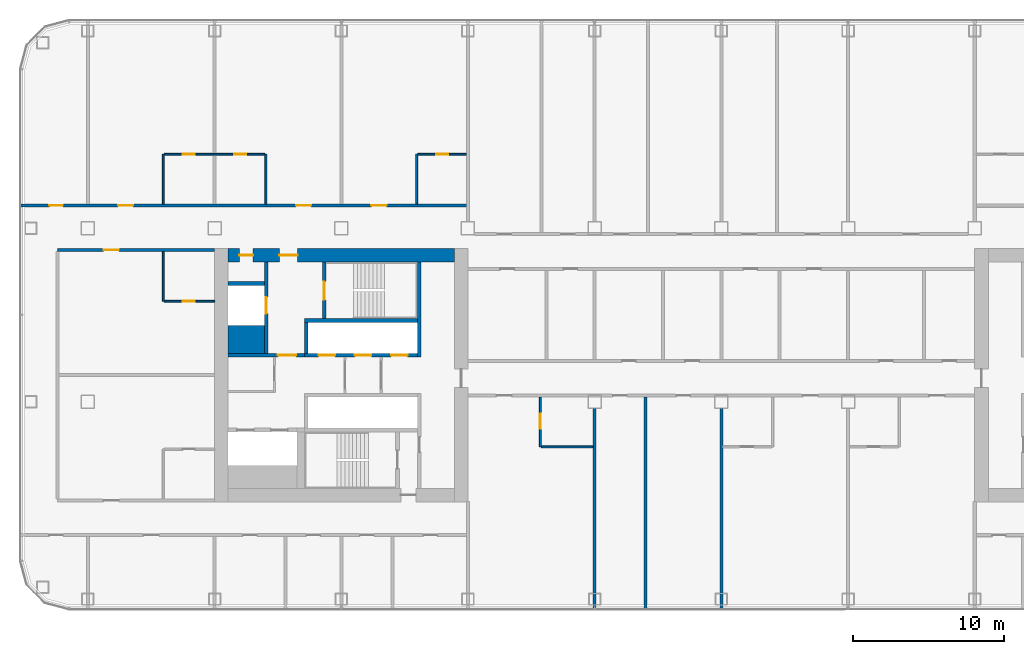
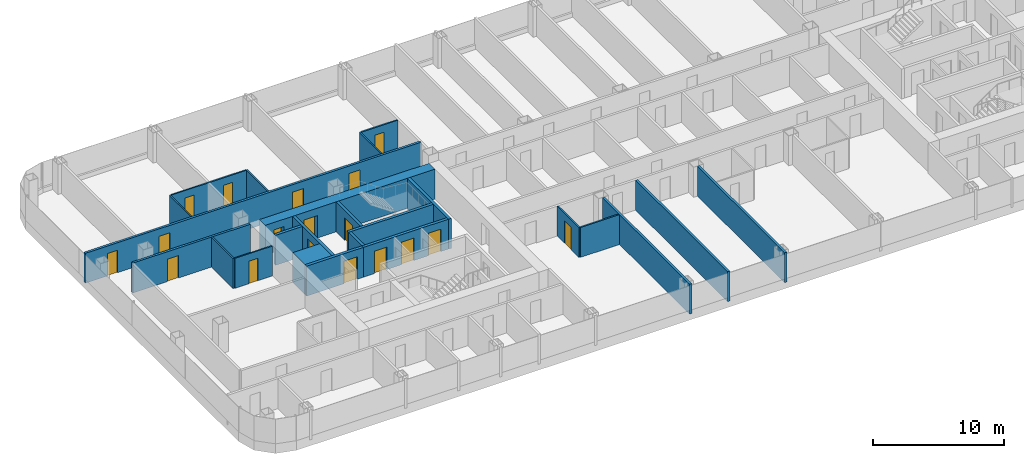
# One storey, part 16 of 29: 24 walls, 18 doors, 18 openings.
"""IFC4 building model written with IfcOpenShell, lengths in metres."""

from ifc_helpers import new_model, si_unit, direction, frame, frame_2d, origin, place, context, subcontext, project, spatial, rectangle, extrude, material, layer, layer_set, type_object, element, fill, save


model = new_model("IFC4")

# Units and contexts
model_context = context("Model", 3, precision=1e-05, world=origin(), true_north=direction((0.0, 1.0)))
body_context = subcontext(model_context, "Body", "Model", "MODEL_VIEW")
ifc_project = project(units=[si_unit("LENGTHUNIT", "METRE"), si_unit("AREAUNIT", "SQUARE_METRE"), si_unit("VOLUMEUNIT", "CUBIC_METRE"), si_unit("PLANEANGLEUNIT", "RADIAN"), si_unit("MASSUNIT", "GRAM", prefix="KILO")], contexts=[model_context])

# Site, building, storey
site_placement = place(None, origin())
site = spatial("IfcSite", under=ifc_project, at=site_placement, CompositionType="ELEMENT")
building_placement = place(site_placement, origin())
building = spatial("IfcBuilding", under=site, at=building_placement, Name="Hakoniwa Tower and Hamabe Station Hall", CompositionType="ELEMENT")
storey_placement = place(building_placement, frame((0.0, 0.0, 75.39990234375)))
storey = spatial("IfcBuildingStorey", under=building, at=storey_placement, Name="L20", CompositionType="ELEMENT", Elevation=75.39990234375)

# Wall
ifc_material_1 = material(Name="Gypsum board partition", Category="gypsum")
ifc_layer_1 = layer(ifc_material_1, 0.125)
ifc_layer_set_1 = layer_set([ifc_layer_1], Name="Bathroom Partition 125")
wall_type_1 = type_object("IfcWallType", Name="Bathroom Partition 125", PredefinedType="PARTITIONING", material=ifc_layer_set_1)
wall_1_placement = place(storey_placement, frame((-11.9375, -4.75, 0.0), z_axis=(0.0, 0.0, 1.0), x_axis=(1.0, 0.0, 0.0)))
element("IfcWall", 1, at=wall_1_placement, inside=storey, type_object=wall_type_1, Name="GW-L20-007", PredefinedType="PARTITIONING", context=body_context, shape_type="SweptSolid", body=[
    extrude(rectangle(XDim=3.4375, YDim=0.125, at=frame_2d((1.71875, 0.0))), origin(), (0.0, 0.0, 1.0), 2.800048828125),
])

# Wall, opening, door
wall_2_placement = place(storey_placement, frame((-36.9375, 4.89990234375, 0.0), z_axis=(0.0, 0.0, 1.0), x_axis=(1.0, 0.0, 0.0)))
wall_2 = element("IfcWall", 2, at=wall_2_placement, inside=storey, type_object=wall_type_1, Name="GW-L20-014", PredefinedType="PARTITIONING", context=body_context, shape_type="SweptSolid", body=[
    extrude(rectangle(XDim=3.33740234375, YDim=0.125, at=frame_2d((1.668701171875, 0.0))), origin(), (0.0, 0.0, 1.0), 2.800048828125),
])
opening_1_placement = place(wall_2_placement, frame((1.237548828125, 0.0, 0.0)))
opening_1 = element("IfcOpeningElement", 3, at=opening_1_placement, cuts=wall_2, Name="Opening GD-G2A0-29", PredefinedType="OPENING", context=body_context, shape_type="SweptSolid", body=[
    extrude(rectangle(XDim=0.800048828125, YDim=2.10009765625, at=frame_2d((0.39990234375, 1.050048828125))), frame((0.0, 0.072509765625, 0.0), z_axis=(0.0, -1.0, 0.0), x_axis=(1.0, 0.0, 0.0)), (0.0, 0.0, 1.0), 0.14501953125),
])
ifc_material_2 = material(Name="Timber door leaf", Category="wood")
door_type_1 = type_object("IfcDoorType", Name="Bathroom Door 800", OperationType="SINGLE_SWING_LEFT", PredefinedType="DOOR", material=ifc_material_2)
door_1_placement = place(opening_1_placement, origin())
door_1 = element("IfcDoor", 4, at=door_1_placement, inside=storey, type_object=door_type_1, Name="Door GD-G2A0-29", OperationType="SINGLE_SWING_RIGHT", OverallHeight=2.10009765625, OverallWidth=0.800048828125, PredefinedType="DOOR", context=body_context, shape_type="SweptSolid", body=[
    extrude(rectangle(XDim=0.800048828125, YDim=2.10009765625, at=frame_2d((0.39990234375, 1.050048828125))), frame((0.0, 0.02490234375, 0.0), z_axis=(0.0, -1.0, 0.0), x_axis=(1.0, 0.0, 0.0)), (0.0, 0.0, 1.0), 0.050048828125),
])
fill(opening_1, door_1)

# Wall, openings, doors
wall_3_placement = place(storey_placement, frame((-36.9375, 14.64990234375, 0.0), z_axis=(0.0, 0.0, 1.0), x_axis=(1.0, 0.0, 0.0)))
wall_3 = element("IfcWall", 5, at=wall_3_placement, inside=storey, type_object=wall_type_1, Name="GW-L20-022", PredefinedType="PARTITIONING", context=body_context, shape_type="SweptSolid", body=[
    extrude(rectangle(XDim=6.675048828125, YDim=0.125, at=frame_2d((3.33740234375, 0.0))), origin(), (0.0, 0.0, 1.0), 2.800048828125),
])
opening_2_placement = place(wall_3_placement, frame((1.237548828125, 0.0, 0.0)))
opening_2 = element("IfcOpeningElement", 6, at=opening_2_placement, cuts=wall_3, Name="Opening GD-G2A0-52", PredefinedType="OPENING", context=body_context, shape_type="SweptSolid", body=[
    extrude(rectangle(XDim=0.800048828125, YDim=2.10009765625, at=frame_2d((0.39990234375, 1.050048828125))), frame((0.0, 0.072509765625, 0.0), z_axis=(0.0, -1.0, 0.0), x_axis=(1.0, 0.0, 0.0)), (0.0, 0.0, 1.0), 0.14501953125),
])
opening_3_placement = place(wall_3_placement, frame((4.637451171875, 0.0, 0.0)))
opening_3 = element("IfcOpeningElement", 7, at=opening_3_placement, cuts=wall_3, Name="Opening GD-G2A0-53", PredefinedType="OPENING", context=body_context, shape_type="SweptSolid", body=[
    extrude(rectangle(XDim=0.800048828125, YDim=2.10009765625, at=frame_2d((0.39990234375, 1.050048828125))), frame((0.0, 0.072509765625, 0.0), z_axis=(0.0, -1.0, 0.0), x_axis=(1.0, 0.0, 0.0)), (0.0, 0.0, 1.0), 0.14501953125),
])
door_2_placement = place(opening_2_placement, origin())
door_2 = element("IfcDoor", 8, at=door_2_placement, inside=storey, type_object=door_type_1, Name="Door GD-G2A0-52", OperationType="SINGLE_SWING_LEFT", OverallHeight=2.10009765625, OverallWidth=0.800048828125, PredefinedType="DOOR", context=body_context, shape_type="SweptSolid", body=[
    extrude(rectangle(XDim=0.800048828125, YDim=2.10009765625, at=frame_2d((0.39990234375, 1.050048828125))), frame((0.0, 0.02490234375, 0.0), z_axis=(0.0, -1.0, 0.0), x_axis=(1.0, 0.0, 0.0)), (0.0, 0.0, 1.0), 0.050048828125),
])
fill(opening_2, door_2)
door_3_placement = place(opening_3_placement, origin())
door_3 = element("IfcDoor", 9, at=door_3_placement, inside=storey, type_object=door_type_1, Name="Door GD-G2A0-53", OperationType="SINGLE_SWING_RIGHT", OverallHeight=2.10009765625, OverallWidth=0.800048828125, PredefinedType="DOOR", context=body_context, shape_type="SweptSolid", body=[
    extrude(rectangle(XDim=0.800048828125, YDim=2.10009765625, at=frame_2d((0.39990234375, 1.050048828125))), frame((0.0, 0.02490234375, 0.0), z_axis=(0.0, -1.0, 0.0), x_axis=(1.0, 0.0, 0.0)), (0.0, 0.0, 1.0), 0.050048828125),
])
fill(opening_3, door_3)

# Wall, opening, door
wall_4_placement = place(storey_placement, frame((-20.137451171875, 14.64990234375, 0.0), z_axis=(0.0, 0.0, 1.0), x_axis=(1.0, 0.0, 0.0)))
wall_4 = element("IfcWall", 10, at=wall_4_placement, inside=storey, type_object=wall_type_1, Name="GW-L20-023", PredefinedType="PARTITIONING", context=body_context, shape_type="SweptSolid", body=[
    extrude(rectangle(XDim=3.237548828125, YDim=0.125, at=frame_2d((1.61865234375, 0.0))), origin(), (0.0, 0.0, 1.0), 2.800048828125),
])
opening_4_placement = place(wall_4_placement, frame((1.237548828125, 0.0, 0.0)))
opening_4 = element("IfcOpeningElement", 11, at=opening_4_placement, cuts=wall_4, Name="Opening GD-G2A0-54", PredefinedType="OPENING", context=body_context, shape_type="SweptSolid", body=[
    extrude(rectangle(XDim=0.800048828125, YDim=2.10009765625, at=frame_2d((0.39990234375, 1.050048828125))), frame((0.0, 0.072509765625, 0.0), z_axis=(0.0, -1.0, 0.0), x_axis=(1.0, 0.0, 0.0)), (0.0, 0.0, 1.0), 0.14501953125),
])
door_4_placement = place(opening_4_placement, origin())
door_4 = element("IfcDoor", 12, at=door_4_placement, inside=storey, type_object=door_type_1, Name="Door GD-G2A0-54", OperationType="SINGLE_SWING_LEFT", OverallHeight=2.10009765625, OverallWidth=0.800048828125, PredefinedType="DOOR", context=body_context, shape_type="SweptSolid", body=[
    extrude(rectangle(XDim=0.800048828125, YDim=2.10009765625, at=frame_2d((0.39990234375, 1.050048828125))), frame((0.0, 0.02490234375, 0.0), z_axis=(0.0, -1.0, 0.0), x_axis=(1.0, 0.0, 0.0)), (0.0, 0.0, 1.0), 0.050048828125),
])
fill(opening_4, door_4)

# Walls
wall_5_placement = place(storey_placement, frame((-37.0, 4.89990234375, 0.0), z_axis=(0.0, 0.0, 1.0), x_axis=(0.0, 1.0, 0.0)))
element("IfcWall", 13, at=wall_5_placement, inside=storey, type_object=wall_type_1, Name="GW-L20-031", PredefinedType="PARTITIONING", context=body_context, shape_type="SweptSolid", body=[
    extrude(rectangle(XDim=3.300048828125, YDim=0.125, at=frame_2d((1.64990234375, 0.0))), origin(), (0.0, 0.0, 1.0), 2.800048828125),
])
for number, where, z_axis, x_axis, name in (
    (14, (-37.0, 11.35009765625, 0.0), (0.0, 0.0, 1.0), (0.0, 1.0, 0.0), "GW-L20-032"),
    (15, (-30.199951171875, 11.35009765625, 0.0), (0.0, 0.0, 1.0), (0.0, 1.0, 0.0), "GW-L20-035"),
    (16, (-20.199951171875, 11.35009765625, 0.0), (0.0, 0.0, 1.0), (0.0, 1.0, 0.0), "GW-L20-040"),
):
    element("IfcWall", number, at=place(storey_placement, frame(where, z_axis=z_axis, x_axis=x_axis)), inside=storey, type_object=wall_type_1, Name=name, PredefinedType="PARTITIONING", context=body_context, shape_type="SweptSolid", body=[
        extrude(rectangle(XDim=3.2998046875, YDim=0.125, at=frame_2d((1.64990234375, 0.0))), origin(), (0.0, 0.0, 1.0), 2.800048828125),
    ])

# Wall, opening, door
wall_6_placement = place(storey_placement, frame((-12.0, -4.75, 0.0), z_axis=(0.0, 0.0, 1.0), x_axis=(0.0, 1.0, 0.0)))
wall_6 = element("IfcWall", 17, at=wall_6_placement, inside=storey, type_object=wall_type_1, Name="GW-L20-043", PredefinedType="PARTITIONING", context=body_context, shape_type="SweptSolid", body=[
    extrude(rectangle(XDim=3.300048828125, YDim=0.125, at=frame_2d((1.64990234375, 0.0))), origin(), (0.0, 0.0, 1.0), 2.800048828125),
])
opening_5_placement = place(wall_6_placement, frame((1.199951171875, 0.0, 0.0)))
opening_5 = element("IfcOpeningElement", 18, at=opening_5_placement, cuts=wall_6, Name="Opening GD-G2A0-58", PredefinedType="OPENING", context=body_context, shape_type="SweptSolid", body=[
    extrude(rectangle(XDim=1.0, YDim=2.10009765625, at=frame_2d((0.5, 1.050048828125))), frame((0.0, 0.072509765625, 0.0), z_axis=(0.0, -1.0, 0.0), x_axis=(1.0, 0.0, 0.0)), (0.0, 0.0, 1.0), 0.14501953125),
])
ifc_material_3 = material(Name="Timber door leaf", Category="wood")
door_type_2 = type_object("IfcDoorType", Name="Accessible Bathroom Door 1000", OperationType="SINGLE_SWING_LEFT", PredefinedType="DOOR", material=ifc_material_3)
door_5_placement = place(opening_5_placement, origin())
door_5 = element("IfcDoor", 19, at=door_5_placement, inside=storey, type_object=door_type_2, Name="Door GD-G2A0-58", OperationType="SINGLE_SWING_LEFT", OverallHeight=2.10009765625, OverallWidth=1.0, PredefinedType="DOOR", context=body_context, shape_type="SweptSolid", body=[
    extrude(rectangle(XDim=1.0, YDim=2.10009765625, at=frame_2d((0.5, 1.050048828125))), frame((0.0, 0.02490234375, 0.0), z_axis=(0.0, -1.0, 0.0), x_axis=(1.0, 0.0, 0.0)), (0.0, 0.0, 1.0), 0.050048828125),
])
fill(opening_5, door_5)

# Wall, openings, doors
ifc_material_4 = material(Name="Concrete C72", Category="concrete")
ifc_layer_2 = layer(ifc_material_4, 0.89990234375)
ifc_layer_set_2 = layer_set([ifc_layer_2], Name="CORE WALL 900 C72")
wall_type_2 = type_object("IfcWallType", Name="CORE WALL 900 C72", PredefinedType="SHEAR", material=ifc_layer_set_2)
wall_7_placement = place(storey_placement, frame((-32.699951171875, 7.949951171875, 0.0), z_axis=(0.0, 0.0, 1.0), x_axis=(1.0, 0.0, 0.0)))
wall_7 = element("IfcWall", 20, at=wall_7_placement, inside=storey, type_object=wall_type_2, Name="Core wall NORTH west", PredefinedType="SHEAR", context=body_context, shape_type="SweptSolid", body=[
    extrude(rectangle(XDim=15.0, YDim=0.89990234375, at=frame_2d((7.5, 0.0))), origin(), (0.0, 0.0, 1.0), 2.800048828125),
])
opening_6_placement = place(wall_7_placement, frame((3.39990234375, 0.0, 0.0)))
opening_6 = element("IfcOpeningElement", 21, at=opening_6_placement, cuts=wall_7, Name="Opening CD-W-FN1-12", PredefinedType="OPENING", context=body_context, shape_type="SweptSolid", body=[
    extrude(rectangle(XDim=1.199951171875, YDim=2.10009765625, at=frame_2d((0.60009765625, 1.050048828125))), frame((0.0, 0.4599609375, 0.0), z_axis=(0.0, -1.0, 0.0), x_axis=(1.0, 0.0, 0.0)), (0.0, 0.0, 1.0), 0.919921875),
])
opening_7_placement = place(wall_7_placement, frame((0.75, 0.0, 0.0)))
opening_7 = element("IfcOpeningElement", 22, at=opening_7_placement, cuts=wall_7, Name="Opening CD-W-FN2-9", PredefinedType="OPENING", context=body_context, shape_type="SweptSolid", body=[
    extrude(rectangle(XDim=0.89990234375, YDim=2.10009765625, at=frame_2d((0.449951171875, 1.050048828125))), frame((0.0, 0.4599609375, 0.0), z_axis=(0.0, -1.0, 0.0), x_axis=(1.0, 0.0, 0.0)), (0.0, 0.0, 1.0), 0.919921875),
])
ifc_material_5 = material(Name="Steel fire door", Category="steel")
door_type_3 = type_object("IfcDoorType", Name="CORE DOOR 1200 FD60", OperationType="DOUBLE_DOOR_SINGLE_SWING", PredefinedType="DOOR", material=ifc_material_5)
door_6_placement = place(opening_6_placement, origin())
door_6 = element("IfcDoor", 23, at=door_6_placement, inside=storey, type_object=door_type_3, Name="Stair vestibule door to the fire-fighting lobby", OperationType="DOUBLE_DOOR_SINGLE_SWING", OverallHeight=2.10009765625, OverallWidth=1.199951171875, PredefinedType="DOOR", context=body_context, shape_type="SweptSolid", body=[
    extrude(rectangle(XDim=1.199951171875, YDim=2.10009765625, at=frame_2d((0.60009765625, 1.050048828125))), frame((0.0, 0.02490234375, 0.0), z_axis=(0.0, -1.0, 0.0), x_axis=(1.0, 0.0, 0.0)), (0.0, 0.0, 1.0), 0.050048828125),
])
fill(opening_6, door_6)
ifc_material_6 = material(Name="Steel fire door", Category="steel")
door_type_4 = type_object("IfcDoorType", Name="CORE DOOR 900 FD30", OperationType="NOTDEFINED", PredefinedType="DOOR", material=ifc_material_6)
door_7_placement = place(opening_7_placement, origin())
door_7 = element("IfcDoor", 24, at=door_7_placement, inside=storey, type_object=door_type_4, Name="Riser access door", OperationType="SINGLE_SWING_RIGHT", OverallHeight=2.10009765625, OverallWidth=0.89990234375, PredefinedType="DOOR", context=body_context, shape_type="SweptSolid", body=[
    extrude(rectangle(XDim=0.89990234375, YDim=2.10009765625, at=frame_2d((0.449951171875, 1.050048828125))), frame((0.0, 0.02490234375, 0.0), z_axis=(0.0, -1.0, 0.0), x_axis=(1.0, 0.0, 0.0)), (0.0, 0.0, 1.0), 0.050048828125),
])
fill(opening_7, door_7)

# Walls
ifc_material_7 = material(Name="Concrete C72", Category="concrete")
ifc_layer_3 = layer(ifc_material_7, 1.85009765625)
ifc_layer_set_3 = layer_set([ifc_layer_3], Name="CORE WEB WALL 1850 C72")
wall_type_3 = type_object("IfcWallType", Name="CORE WEB WALL 1850 C72", PredefinedType="SHEAR", material=ifc_layer_set_3)
wall_8_placement = place(storey_placement, frame((-32.699951171875, 2.375, 0.0), z_axis=(0.0, 0.0, 1.0), x_axis=(1.0, 0.0, 0.0)))
element("IfcWall", 25, at=wall_8_placement, inside=storey, type_object=wall_type_3, Name="Core wall CA west", PredefinedType="SHEAR", context=body_context, shape_type="SweptSolid", body=[
    extrude(rectangle(XDim=2.39990234375, YDim=1.85009765625, at=frame_2d((1.199951171875, 0.0))), origin(), (0.0, 0.0, 1.0), 2.800048828125),
])
ifc_material_8 = material(Name="Concrete C72", Category="concrete")
ifc_layer_4 = layer(ifc_material_8, 0.25)
ifc_layer_set_4 = layer_set([ifc_layer_4], Name="CORE WEB WALL 250 C72")
wall_type_4 = type_object("IfcWallType", Name="CORE WEB WALL 250 C72", PredefinedType="SHEAR", material=ifc_layer_set_4)
wall_9_placement = place(storey_placement, frame((-20.02490234375, 1.199951171875, 0.0), z_axis=(0.0, 0.0, 1.0), x_axis=(0.0, 1.0, 0.0)))
element("IfcWall", 26, at=wall_9_placement, inside=storey, type_object=wall_type_4, Name="Core wall W1N west", PredefinedType="SHEAR", context=body_context, shape_type="SweptSolid", body=[
    extrude(rectangle(XDim=6.300048828125, YDim=0.25, at=frame_2d((3.14990234375, 0.0))), origin(), (0.0, 0.0, 1.0), 2.800048828125),
])

# Wall, openings, doors
wall_10_placement = place(storey_placement, frame((-27.64990234375, 1.324951171875, 0.0), z_axis=(0.0, 0.0, 1.0), x_axis=(1.0, 0.0, 0.0)))
wall_10 = element("IfcWall", 27, at=wall_10_placement, inside=storey, type_object=wall_type_4, Name="Core wall NF west", PredefinedType="SHEAR", context=body_context, shape_type="SweptSolid", body=[
    extrude(rectangle(XDim=7.5, YDim=0.25, at=frame_2d((3.75, 0.0))), origin(), (0.0, 0.0, 1.0), 2.800048828125),
])
opening_8_placement = place(wall_10_placement, frame((5.75, 0.0, 0.0)))
opening_8 = element("IfcOpeningElement", 28, at=opening_8_placement, cuts=wall_10, Name="Opening LD-LR1", PredefinedType="OPENING", context=body_context, shape_type="SweptSolid", body=[
    extrude(rectangle(XDim=1.10009765625, YDim=2.10009765625, at=frame_2d((0.550048828125, 1.050048828125))), frame((0.0, 0.135009765625, 0.0), z_axis=(0.0, -1.0, 0.0), x_axis=(1.0, 0.0, 0.0)), (0.0, 0.0, 1.0), 0.27001953125),
])
opening_9_placement = place(wall_10_placement, frame((3.35009765625, 0.0, 0.0)))
opening_9 = element("IfcOpeningElement", 29, at=opening_9_placement, cuts=wall_10, Name="Opening LD-LR2", PredefinedType="OPENING", context=body_context, shape_type="SweptSolid", body=[
    extrude(rectangle(XDim=1.10009765625, YDim=2.10009765625, at=frame_2d((0.550048828125, 1.050048828125))), frame((0.0, 0.135009765625, 0.0), z_axis=(0.0, -1.0, 0.0), x_axis=(1.0, 0.0, 0.0)), (0.0, 0.0, 1.0), 0.27001953125),
])
opening_10_placement = place(wall_10_placement, frame((0.949951171875, 0.0, 0.0)))
opening_10 = element("IfcOpeningElement", 30, at=opening_10_placement, cuts=wall_10, Name="Opening LD-LR3", PredefinedType="OPENING", context=body_context, shape_type="SweptSolid", body=[
    extrude(rectangle(XDim=1.10009765625, YDim=2.10009765625, at=frame_2d((0.550048828125, 1.050048828125))), frame((0.0, 0.135009765625, 0.0), z_axis=(0.0, -1.0, 0.0), x_axis=(1.0, 0.0, 0.0)), (0.0, 0.0, 1.0), 0.27001953125),
])
ifc_material_9 = material(Name="Stainless steel SUS304", Category="steel")
door_type_5 = type_object("IfcDoorType", Name="LIFT LANDING DOOR 1100 FD60", OperationType="DOUBLE_DOOR_SLIDING", PredefinedType="DOOR", material=ifc_material_9)
door_8_placement = place(opening_8_placement, origin())
door_8 = element("IfcDoor", 31, at=door_8_placement, inside=storey, type_object=door_type_5, Name="Lift landing door LR1 L20", OperationType="DOUBLE_DOOR_SLIDING", OverallHeight=2.10009765625, OverallWidth=1.10009765625, PredefinedType="DOOR", context=body_context, shape_type="SweptSolid", body=[
    extrude(rectangle(XDim=1.10009765625, YDim=2.10009765625, at=frame_2d((0.550048828125, 1.050048828125))), frame((0.0, 0.02490234375, 0.0), z_axis=(0.0, -1.0, 0.0), x_axis=(1.0, 0.0, 0.0)), (0.0, 0.0, 1.0), 0.050048828125),
])
fill(opening_8, door_8)
door_9_placement = place(opening_9_placement, origin())
door_9 = element("IfcDoor", 32, at=door_9_placement, inside=storey, type_object=door_type_5, Name="Lift landing door LR2 L20", OperationType="DOUBLE_DOOR_SLIDING", OverallHeight=2.10009765625, OverallWidth=1.10009765625, PredefinedType="DOOR", context=body_context, shape_type="SweptSolid", body=[
    extrude(rectangle(XDim=1.10009765625, YDim=2.10009765625, at=frame_2d((0.550048828125, 1.050048828125))), frame((0.0, 0.02490234375, 0.0), z_axis=(0.0, -1.0, 0.0), x_axis=(1.0, 0.0, 0.0)), (0.0, 0.0, 1.0), 0.050048828125),
])
fill(opening_9, door_9)
door_10_placement = place(opening_10_placement, origin())
door_10 = element("IfcDoor", 33, at=door_10_placement, inside=storey, type_object=door_type_5, Name="Lift landing door LR3 L20", OperationType="DOUBLE_DOOR_SLIDING", OverallHeight=2.10009765625, OverallWidth=1.10009765625, PredefinedType="DOOR", context=body_context, shape_type="SweptSolid", body=[
    extrude(rectangle(XDim=1.10009765625, YDim=2.10009765625, at=frame_2d((0.550048828125, 1.050048828125))), frame((0.0, 0.02490234375, 0.0), z_axis=(0.0, -1.0, 0.0), x_axis=(1.0, 0.0, 0.0)), (0.0, 0.0, 1.0), 0.050048828125),
])
fill(opening_10, door_10)

# Walls
wall_11_placement = place(storey_placement, frame((-27.52490234375, 1.449951171875, 0.0), z_axis=(0.0, 0.0, 1.0), x_axis=(0.0, 1.0, 0.0)))
element("IfcWall", 34, at=wall_11_placement, inside=storey, type_object=wall_type_4, Name="Core wall NE west", PredefinedType="SHEAR", context=body_context, shape_type="SweptSolid", body=[
    extrude(rectangle(XDim=2.050048828125, YDim=0.25, at=frame_2d((1.02490234375, 0.0))), origin(), (0.0, 0.0, 1.0), 2.800048828125),
])
wall_12_placement = place(storey_placement, frame((-27.64990234375, 3.625, 0.0), z_axis=(0.0, 0.0, 1.0), x_axis=(1.0, 0.0, 0.0)))
element("IfcWall", 35, at=wall_12_placement, inside=storey, type_object=wall_type_4, Name="Core wall NR west", PredefinedType="SHEAR", context=body_context, shape_type="SweptSolid", body=[
    extrude(rectangle(XDim=7.5, YDim=0.25, at=frame_2d((3.75, 0.0))), origin(), (0.0, 0.0, 1.0), 2.800048828125),
])

# Wall, opening, door
wall_13_placement = place(storey_placement, frame((-26.324951171875, 3.75, 0.0), z_axis=(0.0, 0.0, 1.0), x_axis=(0.0, 1.0, 0.0)))
wall_13 = element("IfcWall", 36, at=wall_13_placement, inside=storey, type_object=wall_type_4, Name="Core wall NSE west", PredefinedType="SHEAR", context=body_context, shape_type="SweptSolid", body=[
    extrude(rectangle(XDim=3.75, YDim=0.25, at=frame_2d((1.875, 0.0))), origin(), (0.0, 0.0, 1.0), 2.800048828125),
])
opening_11_placement = place(wall_13_placement, frame((1.25, 0.0, 0.0)))
opening_11 = element("IfcOpeningElement", 37, at=opening_11_placement, cuts=wall_13, Name="Opening CD-W-SN-12", PredefinedType="OPENING", context=body_context, shape_type="SweptSolid", body=[
    extrude(rectangle(XDim=1.199951171875, YDim=2.10009765625, at=frame_2d((0.60009765625, 1.050048828125))), frame((0.0, 0.135009765625, 0.0), z_axis=(0.0, -1.0, 0.0), x_axis=(1.0, 0.0, 0.0)), (0.0, 0.0, 1.0), 0.27001953125),
])
door_11_placement = place(opening_11_placement, origin())
door_11 = element("IfcDoor", 38, at=door_11_placement, inside=storey, type_object=door_type_3, Name="Escape stair door", OperationType="DOUBLE_DOOR_SINGLE_SWING", OverallHeight=2.10009765625, OverallWidth=1.199951171875, PredefinedType="DOOR", context=body_context, shape_type="SweptSolid", body=[
    extrude(rectangle(XDim=1.199951171875, YDim=2.10009765625, at=frame_2d((0.60009765625, 1.050048828125))), frame((0.0, 0.02490234375, 0.0), z_axis=(0.0, -1.0, 0.0), x_axis=(1.0, 0.0, 0.0)), (0.0, 0.0, 1.0), 0.050048828125),
])
fill(opening_11, door_11)

wall_14_placement = place(storey_placement, frame((-32.699951171875, 1.324951171875, 0.0), z_axis=(0.0, 0.0, 1.0), x_axis=(1.0, 0.0, 0.0)))
wall_14 = element("IfcWall", 39, at=wall_14_placement, inside=storey, type_object=wall_type_4, Name="Core wall ELN west", PredefinedType="SHEAR", context=body_context, shape_type="SweptSolid", body=[
    extrude(rectangle(XDim=5.050048828125, YDim=0.25, at=frame_2d((2.52490234375, 0.0))), origin(), (0.0, 0.0, 1.0), 2.800048828125),
])
opening_12_placement = place(wall_14_placement, frame((3.300048828125, 0.0, 0.0)))
opening_12 = element("IfcOpeningElement", 40, at=opening_12_placement, cuts=wall_14, Name="Opening CD-W-FL-12", PredefinedType="OPENING", context=body_context, shape_type="SweptSolid", body=[
    extrude(rectangle(XDim=1.199951171875, YDim=2.10009765625, at=frame_2d((0.60009765625, 1.050048828125))), frame((0.0, 0.135009765625, 0.0), z_axis=(0.0, -1.0, 0.0), x_axis=(1.0, 0.0, 0.0)), (0.0, 0.0, 1.0), 0.27001953125),
])
door_12_placement = place(opening_12_placement, origin())
door_12 = element("IfcDoor", 41, at=door_12_placement, inside=storey, type_object=door_type_3, Name="Stair vestibule door to the fire-fighting lobby", OperationType="DOUBLE_DOOR_SINGLE_SWING", OverallHeight=2.10009765625, OverallWidth=1.199951171875, PredefinedType="DOOR", context=body_context, shape_type="SweptSolid", body=[
    extrude(rectangle(XDim=1.199951171875, YDim=2.10009765625, at=frame_2d((0.60009765625, 1.050048828125))), frame((0.0, 0.02490234375, 0.0), z_axis=(0.0, -1.0, 0.0), x_axis=(1.0, 0.0, 0.0)), (0.0, 0.0, 1.0), 0.050048828125),
])
fill(opening_12, door_12)

wall_15_placement = place(storey_placement, frame((-30.175048828125, 1.449951171875, 0.0), z_axis=(0.0, 0.0, 1.0), x_axis=(0.0, 1.0, 0.0)))
wall_15 = element("IfcWall", 42, at=wall_15_placement, inside=storey, type_object=wall_type_4, Name="Core wall FFF west", PredefinedType="SHEAR", context=body_context, shape_type="SweptSolid", body=[
    extrude(rectangle(XDim=6.050048828125, YDim=0.25, at=frame_2d((3.02490234375, 0.0))), origin(), (0.0, 0.0, 1.0), 2.800048828125),
])
opening_13_placement = place(wall_15_placement, frame((2.625, 0.0, 0.0)))
opening_13 = element("IfcOpeningElement", 43, at=opening_13_placement, cuts=wall_15, Name="Opening LD-FF1", PredefinedType="OPENING", context=body_context, shape_type="SweptSolid", body=[
    extrude(rectangle(XDim=1.10009765625, YDim=2.10009765625, at=frame_2d((0.550048828125, 1.050048828125))), frame((0.0, 0.135009765625, 0.0), z_axis=(0.0, -1.0, 0.0), x_axis=(1.0, 0.0, 0.0)), (0.0, 0.0, 1.0), 0.27001953125),
])
door_13_placement = place(opening_13_placement, origin())
door_13 = element("IfcDoor", 44, at=door_13_placement, inside=storey, type_object=door_type_5, Name="Lift landing door FF1 L20", OperationType="DOUBLE_DOOR_SLIDING", OverallHeight=2.10009765625, OverallWidth=1.10009765625, PredefinedType="DOOR", context=body_context, shape_type="SweptSolid", body=[
    extrude(rectangle(XDim=1.10009765625, YDim=2.10009765625, at=frame_2d((0.550048828125, 1.050048828125))), frame((0.0, 0.02490234375, 0.0), z_axis=(0.0, -1.0, 0.0), x_axis=(1.0, 0.0, 0.0)), (0.0, 0.0, 1.0), 0.050048828125),
])
fill(opening_13, door_13)

# Wall
wall_16_placement = place(storey_placement, frame((-32.699951171875, 6.074951171875, 0.0), z_axis=(0.0, 0.0, 1.0), x_axis=(1.0, 0.0, 0.0)))
element("IfcWall", 45, at=wall_16_placement, inside=storey, type_object=wall_type_4, Name="Core wall C2 west", PredefinedType="SHEAR", context=body_context, shape_type="SweptSolid", body=[
    extrude(rectangle(XDim=2.39990234375, YDim=0.25, at=frame_2d((1.199951171875, 0.0))), origin(), (0.0, 0.0, 1.0), 2.800048828125),
])

# Wall, opening, door
ifc_material_10 = material(Name="Fire-rated gypsum board partition", Category="gypsum")
ifc_layer_5 = layer(ifc_material_10, 0.199951171875)
ifc_layer_set_5 = layer_set([ifc_layer_5], Name="Corridor Wall 200")
wall_type_5 = type_object("IfcWallType", Name="Corridor Wall 200", PredefinedType="PARTITIONING", material=ifc_layer_set_5)
wall_17_placement = place(storey_placement, frame((-44.0, 8.300048828125, 0.0), z_axis=(0.0, 0.0, 1.0), x_axis=(1.0, 0.0, 0.0)))
wall_17 = element("IfcWall", 46, at=wall_17_placement, inside=storey, type_object=wall_type_5, Name="GW-L20-017", PredefinedType="PARTITIONING", context=body_context, shape_type="SweptSolid", body=[
    extrude(rectangle(XDim=10.39990234375, YDim=0.199951171875, at=frame_2d((5.199951171875, 0.0))), origin(), (0.0, 0.0, 1.0), 2.800048828125),
])
opening_14_placement = place(wall_17_placement, frame((3.050048828125, 0.0, 0.0)))
opening_14 = element("IfcOpeningElement", 47, at=opening_14_placement, cuts=wall_17, Name="Opening GD-G2A0-35", PredefinedType="OPENING", context=body_context, shape_type="SweptSolid", body=[
    extrude(rectangle(XDim=1.0, YDim=2.10009765625, at=frame_2d((0.5, 1.050048828125))), frame((0.0, 0.10986328125, 0.0), z_axis=(0.0, -1.0, 0.0), x_axis=(1.0, 0.0, 0.0)), (0.0, 0.0, 1.0), 0.219970703125),
])
ifc_material_11 = material(Name="Timber door leaf", Category="wood")
door_type_6 = type_object("IfcDoorType", Name="Guest Entrance Door 1000", OperationType="SINGLE_SWING_LEFT", PredefinedType="DOOR", material=ifc_material_11)
door_14_placement = place(opening_14_placement, origin())
door_14 = element("IfcDoor", 48, at=door_14_placement, inside=storey, type_object=door_type_6, Name="Door GD-G2A0-35", OperationType="SINGLE_SWING_RIGHT", OverallHeight=2.10009765625, OverallWidth=1.0, PredefinedType="DOOR", context=body_context, shape_type="SweptSolid", body=[
    extrude(rectangle(XDim=1.0, YDim=2.10009765625, at=frame_2d((0.5, 1.050048828125))), frame((0.0, 0.02490234375, 0.0), z_axis=(0.0, -1.0, 0.0), x_axis=(1.0, 0.0, 0.0)), (0.0, 0.0, 1.0), 0.050048828125),
])
fill(opening_14, door_14)

# Wall, openings, doors
wall_18_placement = place(storey_placement, frame((-46.5, 11.25, 0.0), z_axis=(0.0, 0.0, 1.0), x_axis=(1.0, 0.0, 0.0)))
wall_18 = element("IfcWall", 49, at=wall_18_placement, inside=storey, type_object=wall_type_5, Name="GW-L20-020", PredefinedType="PARTITIONING", context=body_context, shape_type="SweptSolid", body=[
    extrude(rectangle(XDim=29.699951171875, YDim=0.199951171875, at=frame_2d((14.85009765625, 0.0))), origin(), (0.0, 0.0, 1.0), 2.800048828125),
])
opening_15_placement = place(wall_18_placement, frame((1.949951171875, 0.0, 0.0)))
opening_15 = element("IfcOpeningElement", 50, at=opening_15_placement, cuts=wall_18, Name="Opening GD-G2A0-44", PredefinedType="OPENING", context=body_context, shape_type="SweptSolid", body=[
    extrude(rectangle(XDim=0.89990234375, YDim=2.10009765625, at=frame_2d((0.449951171875, 1.050048828125))), frame((0.0, 0.10986328125, 0.0), z_axis=(0.0, -1.0, 0.0), x_axis=(1.0, 0.0, 0.0)), (0.0, 0.0, 1.0), 0.219970703125),
])
opening_16_placement = place(wall_18_placement, frame((6.5, 0.0, 0.0)))
opening_16 = element("IfcOpeningElement", 51, at=opening_16_placement, cuts=wall_18, Name="Opening GD-G2A0-45", PredefinedType="OPENING", context=body_context, shape_type="SweptSolid", body=[
    extrude(rectangle(XDim=1.0, YDim=2.10009765625, at=frame_2d((0.5, 1.050048828125))), frame((0.0, 0.10986328125, 0.0), z_axis=(0.0, -1.0, 0.0), x_axis=(1.0, 0.0, 0.0)), (0.0, 0.0, 1.0), 0.219970703125),
])
opening_17_placement = place(wall_18_placement, frame((18.300048828125, 0.0, 0.0)))
opening_17 = element("IfcOpeningElement", 52, at=opening_17_placement, cuts=wall_18, Name="Opening GD-G2A0-46", PredefinedType="OPENING", context=body_context, shape_type="SweptSolid", body=[
    extrude(rectangle(XDim=1.0, YDim=2.10009765625, at=frame_2d((0.5, 1.050048828125))), frame((0.0, 0.10986328125, 0.0), z_axis=(0.0, -1.0, 0.0), x_axis=(1.0, 0.0, 0.0)), (0.0, 0.0, 1.0), 0.219970703125),
])
opening_18_placement = place(wall_18_placement, frame((23.300048828125, 0.0, 0.0)))
opening_18 = element("IfcOpeningElement", 53, at=opening_18_placement, cuts=wall_18, Name="Opening GD-G2A0-47", PredefinedType="OPENING", context=body_context, shape_type="SweptSolid", body=[
    extrude(rectangle(XDim=1.0, YDim=2.10009765625, at=frame_2d((0.5, 1.050048828125))), frame((0.0, 0.10986328125, 0.0), z_axis=(0.0, -1.0, 0.0), x_axis=(1.0, 0.0, 0.0)), (0.0, 0.0, 1.0), 0.219970703125),
])
door_15_placement = place(opening_16_placement, origin())
door_15 = element("IfcDoor", 54, at=door_15_placement, inside=storey, type_object=door_type_6, Name="Door GD-G2A0-45", OperationType="SINGLE_SWING_RIGHT", OverallHeight=2.10009765625, OverallWidth=1.0, PredefinedType="DOOR", context=body_context, shape_type="SweptSolid", body=[
    extrude(rectangle(XDim=1.0, YDim=2.10009765625, at=frame_2d((0.5, 1.050048828125))), frame((0.0, 0.02490234375, 0.0), z_axis=(0.0, -1.0, 0.0), x_axis=(1.0, 0.0, 0.0)), (0.0, 0.0, 1.0), 0.050048828125),
])
fill(opening_16, door_15)
door_16_placement = place(opening_17_placement, origin())
door_16 = element("IfcDoor", 55, at=door_16_placement, inside=storey, type_object=door_type_6, Name="Door GD-G2A0-46", OperationType="SINGLE_SWING_LEFT", OverallHeight=2.10009765625, OverallWidth=1.0, PredefinedType="DOOR", context=body_context, shape_type="SweptSolid", body=[
    extrude(rectangle(XDim=1.0, YDim=2.10009765625, at=frame_2d((0.5, 1.050048828125))), frame((0.0, 0.02490234375, 0.0), z_axis=(0.0, -1.0, 0.0), x_axis=(1.0, 0.0, 0.0)), (0.0, 0.0, 1.0), 0.050048828125),
])
fill(opening_17, door_16)
door_17_placement = place(opening_18_placement, origin())
door_17 = element("IfcDoor", 56, at=door_17_placement, inside=storey, type_object=door_type_6, Name="Door GD-G2A0-47", OperationType="SINGLE_SWING_RIGHT", OverallHeight=2.10009765625, OverallWidth=1.0, PredefinedType="DOOR", context=body_context, shape_type="SweptSolid", body=[
    extrude(rectangle(XDim=1.0, YDim=2.10009765625, at=frame_2d((0.5, 1.050048828125))), frame((0.0, 0.02490234375, 0.0), z_axis=(0.0, -1.0, 0.0), x_axis=(1.0, 0.0, 0.0)), (0.0, 0.0, 1.0), 0.050048828125),
])
fill(opening_18, door_17)
ifc_material_12 = material(Name="Timber door leaf", Category="wood")
door_type_7 = type_object("IfcDoorType", Name="Service Door 900", OperationType="SINGLE_SWING_LEFT", PredefinedType="DOOR", material=ifc_material_12)
door_18_placement = place(opening_15_placement, origin())
door_18 = element("IfcDoor", 57, at=door_18_placement, inside=storey, type_object=door_type_7, Name="Door GD-G2A0-44", OperationType="SINGLE_SWING_LEFT", OverallHeight=2.10009765625, OverallWidth=0.89990234375, PredefinedType="DOOR", context=body_context, shape_type="SweptSolid", body=[
    extrude(rectangle(XDim=0.89990234375, YDim=2.10009765625, at=frame_2d((0.449951171875, 1.050048828125))), frame((0.0, 0.02490234375, 0.0), z_axis=(0.0, -1.0, 0.0), x_axis=(1.0, 0.0, 0.0)), (0.0, 0.0, 1.0), 0.050048828125),
])
fill(opening_15, door_18)

# Walls
ifc_material_13 = material(Name="Fire-rated gypsum board partition", Category="gypsum")
ifc_layer_6 = layer(ifc_material_13, 0.199951171875)
ifc_layer_set_6 = layer_set([ifc_layer_6], Name="Party Wall 200")
wall_type_6 = type_object("IfcWallType", Name="Party Wall 200", PredefinedType="PARTITIONING", material=ifc_layer_set_6)
wall_19_placement = place(storey_placement, frame((-8.39990234375, -15.550048828125, 0.0), z_axis=(0.0, 0.0, 1.0), x_axis=(0.0, 1.0, 0.0)))
element("IfcWall", 58, at=wall_19_placement, inside=storey, type_object=wall_type_6, Name="GW-L20-046", PredefinedType="PARTITIONING", context=body_context, shape_type="SweptSolid", body=[
    extrude(rectangle(XDim=13.360107421875, YDim=0.199951171875, at=frame_2d((6.68017578125, 0.0))), origin(), (0.0, 0.0, 1.0), 2.800048828125),
])
wall_20_placement = place(storey_placement, frame((-5.0400390625, -15.550048828125, 0.0), z_axis=(0.0, 0.0, 1.0), x_axis=(0.0, 1.0, 0.0)))
element("IfcWall", 59, at=wall_20_placement, inside=storey, type_object=wall_type_6, Name="GW-L20-049", PredefinedType="PARTITIONING", context=body_context, shape_type="SweptSolid", body=[
    extrude(rectangle(XDim=14.10009765625, YDim=0.199951171875, at=frame_2d((7.050048828125, 0.0))), origin(), (0.0, 0.0, 1.0), 2.800048828125),
])
wall_21_placement = place(storey_placement, frame((0.0, -15.550048828125, 0.0), z_axis=(0.0, 0.0, 1.0), x_axis=(0.0, 1.0, 0.0)))
element("IfcWall", 60, at=wall_21_placement, inside=storey, type_object=wall_type_6, Name="GW-L20-052", PredefinedType="PARTITIONING", context=body_context, shape_type="SweptSolid", body=[
    extrude(rectangle(XDim=13.360107421875, YDim=0.199951171875, at=frame_2d((6.68017578125, 0.0))), origin(), (0.0, 0.0, 1.0), 2.800048828125),
])

save(model, "model.ifc")
